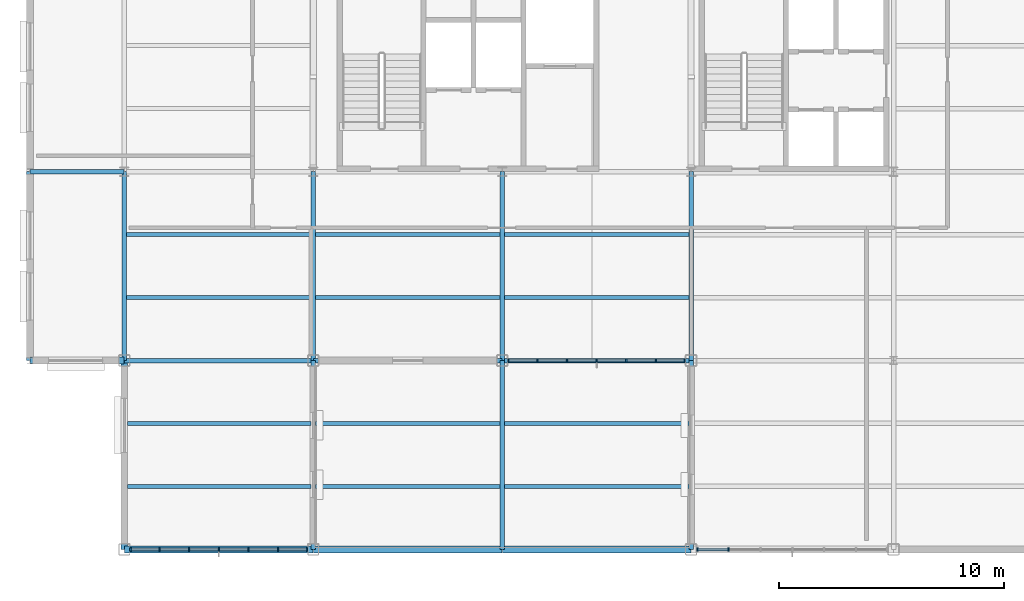
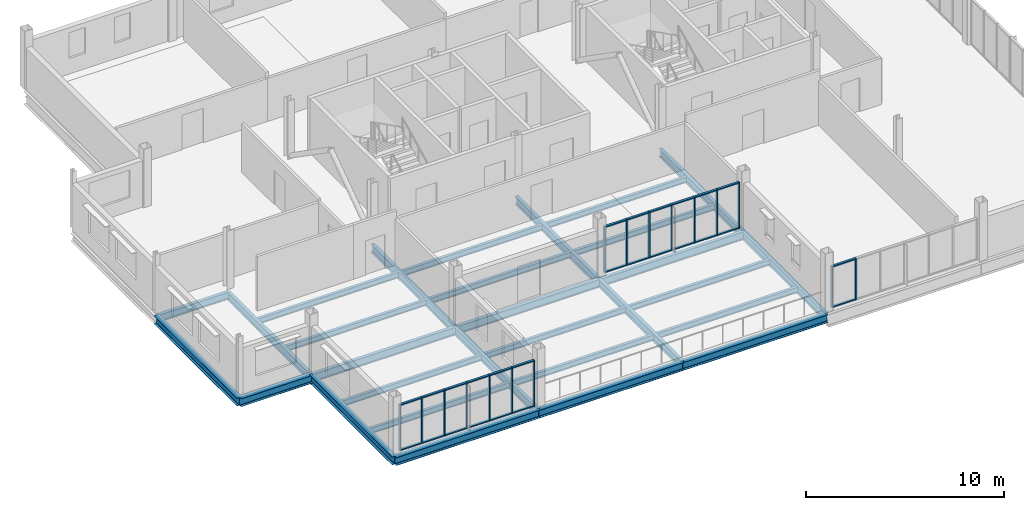
# One storey, part 5 of 20: 42 members, 29 beams, 3 elements without a shape of their own.
"""IFC4 building model written with IfcOpenShell, lengths in metres."""

import ifcopenshell
import ifcopenshell.guid

model = None  # the IFC model being written
_history = None  # IfcOwnerHistory: only IFC2X3 demands one
_inside = {}  # id of a spatial element -> (the spatial element, [elements in it])
_under = {}  # id of a project, library or spatial element -> (it, [spatial elements below it])
_declared = {}  # id of a project -> (the project, [libraries it declares])
_typed = {}  # id of a type object -> (the type object, [elements of that type])
_made_of = {}  # id of a material, layer set ... -> (it, [elements and type objects made of it])


def new_model(schema):
    """Start an empty IFC model of exactly this schema.

    Asked for "IFC4X3", IfcOpenShell would pick the latest addendum, in which some entities
    have other attributes; the version numbers below select the first issue.
    IFC2X3 requires an IfcOwnerHistory on every rooted entity: one is made here for all.
    """
    global model, _history
    if schema == "IFC4X3":
        model = ifcopenshell.file(schema_version=(4, 3, 0, 0))
    else:
        model = ifcopenshell.file(schema=schema)
    _inside.clear()
    _under.clear()
    _declared.clear()
    _typed.clear()
    _made_of.clear()
    _history = None
    if model.schema == "IFC2X3":
        org = make("IfcOrganization", Name="unknown")
        user = make(
            "IfcPersonAndOrganization",
            ThePerson=make("IfcPerson", FamilyName="unknown"),
            TheOrganization=org,
        )
        app = make(
            "IfcApplication",
            ApplicationDeveloper=org,
            Version="unknown",
            ApplicationFullName="unknown",
            ApplicationIdentifier="unknown",
        )
        _history = make(
            "IfcOwnerHistory",
            OwningUser=user,
            OwningApplication=app,
            ChangeAction="ADDED",
            CreationDate=0,
        )
    return model


def make(cls, **values):
    """One entity of the class cls with the attributes given. An attribute that is None is left unset."""
    return model.create_entity(
        cls, **{name: value for name, value in values.items() if value is not None}
    )


def rooted(cls, **values):
    """An entity with a GlobalId (a new one), such as an element, a storey or a relation."""
    return make(cls, GlobalId=ifcopenshell.guid.new(), OwnerHistory=_history, **values)


def si_unit(unit_type, name, prefix=None):
    """IfcSIUnit, for example si_unit("LENGTHUNIT", "METRE", prefix="MILLI")."""
    return make("IfcSIUnit", UnitType=unit_type, Prefix=prefix, Name=name)


def assignment(units):
    """IfcUnitAssignment: the units of a project."""
    return None if units is None else make("IfcUnitAssignment", Units=units)


def point(xyz):
    """IfcCartesianPoint."""
    return None if xyz is None else make("IfcCartesianPoint", Coordinates=xyz)


def direction(xyz):
    """IfcDirection."""
    return None if xyz is None else make("IfcDirection", DirectionRatios=xyz)


def frame(location, z_axis=None, x_axis=None):
    """IfcAxis2Placement3D, a coordinate frame: its origin and axes. An axis left out is left unset."""
    return make(
        "IfcAxis2Placement3D",
        Location=point(location),
        Axis=direction(z_axis),
        RefDirection=direction(x_axis),
    )


def frame_2d(location, x_axis=None):
    """IfcAxis2Placement2D, a coordinate frame in the plane: its origin and x axis."""
    return make(
        "IfcAxis2Placement2D", Location=point(location), RefDirection=direction(x_axis)
    )


def origin():
    """The frame at (0, 0, 0) with its axes left unset."""
    return frame((0.0, 0.0, 0.0))


def origin_2d():
    """The frame at (0, 0) in the plane with its x axis left unset."""
    return frame_2d((0.0, 0.0))


def place(relative_to, where):
    """IfcLocalPlacement: puts the frame where relative to a parent placement (None: the world)."""
    return make(
        "IfcLocalPlacement", PlacementRelTo=relative_to, RelativePlacement=where
    )


def context(
    kind, dimensions, precision=None, world=None, true_north=None, identifier=None
):
    """IfcGeometricRepresentationContext, for example the 3D "Model" context."""
    return make(
        "IfcGeometricRepresentationContext",
        ContextIdentifier=identifier,
        ContextType=kind,
        CoordinateSpaceDimension=dimensions,
        Precision=precision,
        WorldCoordinateSystem=world,
        TrueNorth=true_north,
    )


def subcontext(parent, identifier, kind, view, scale=None):
    """IfcGeometricRepresentationSubContext, for example "Body" below "Model"."""
    return make(
        "IfcGeometricRepresentationSubContext",
        ContextIdentifier=identifier,
        ContextType=kind,
        ParentContext=parent,
        TargetScale=scale,
        TargetView=view,
    )


def project(units=None, contexts=None):
    """IfcProject with its units and contexts."""
    return rooted(
        "IfcProject",
        Name="project",
        RepresentationContexts=contexts,
        UnitsInContext=assignment(units),
    )


def spatial(cls, under=None, at=None, **own):
    """A site, building, storey or space (cls), placed at a placement, below another one or the project."""
    s = rooted(cls, ObjectPlacement=at, **own)
    if under is not None:
        _under.setdefault(under.id(), (under, []))[1].append(s)
    return s


def profile(cls, at=None, kind="AREA", **sizes):
    """A parametric profile (cls). Its sizes go by their IFC names, for example OverallWidth=200.0."""
    return make(cls, ProfileType=kind, Position=at, **sizes)


def rectangle(**sizes):
    """IfcRectangleProfileDef."""
    return profile("IfcRectangleProfileDef", **sizes)


def i_section(**sizes):
    """IfcIShapeProfileDef."""
    return profile("IfcIShapeProfileDef", **sizes)


def extrude(swept, where, along, depth):
    """IfcExtrudedAreaSolid: the profile swept, set in the frame where, extruded along a direction by depth."""
    return make(
        "IfcExtrudedAreaSolid",
        SweptArea=swept,
        Position=where,
        ExtrudedDirection=direction(along),
        Depth=depth,
    )


def shape(context_of_items, identifier, shape_type, items):
    """IfcShapeRepresentation: the items that make up one representation, for example the "Body"."""
    return make(
        "IfcShapeRepresentation",
        ContextOfItems=context_of_items,
        RepresentationIdentifier=identifier,
        RepresentationType=shape_type,
        Items=items,
    )


def material(Name=None, Category=None):
    """IfcMaterial."""
    return make("IfcMaterial", Name=Name, Category=Category)


def layer(
    of_material, thickness, ventilated=None, Name=None, Category=None, Priority=None
):
    """IfcMaterialLayer: one layer of a wall or slab, of a material (None: an air gap)."""
    return make(
        "IfcMaterialLayer",
        Material=of_material,
        LayerThickness=thickness,
        IsVentilated=ventilated,
        Name=Name,
        Category=Category,
        Priority=Priority,
    )


def layer_set(layers, Name=None):
    """IfcMaterialLayerSet."""
    return make("IfcMaterialLayerSet", MaterialLayers=layers, LayerSetName=Name)


def material_profile(
    of_material, cross_section, Name=None, Category=None, Priority=None
):
    """IfcMaterialProfile: a cross section and its material."""
    return make(
        "IfcMaterialProfile",
        Name=Name,
        Material=of_material,
        Profile=cross_section,
        Priority=Priority,
        Category=Category,
    )


def profile_set(profiles, Name=None, composite=None):
    """IfcMaterialProfileSet."""
    return make(
        "IfcMaterialProfileSet",
        Name=Name,
        MaterialProfiles=profiles,
        CompositeProfile=composite,
    )


def made_of(thing, what):
    """Note that an element or type object is made of a material, layer set ...; save() writes the relation."""
    if what is not None:
        _made_of.setdefault(what.id(), (what, []))[1].append(thing)
    return thing


def type_object(cls, material=None, **own):
    """A type object (cls), such as IfcWallType, which elements share."""
    return made_of(rooted(cls, **own), material)


def element(
    cls,
    number,
    at=None,
    inside=None,
    cuts=None,
    type_object=None,
    material=None,
    context=None,
    identifier="Body",
    shape_type=None,
    held_by="IfcProductDefinitionShape",
    body=None,
    shapes=None,
    **own,
):
    """One element of the class cls, such as IfcWall. Its Tag is "e" and its number.

    at: its placement. inside: the storey or other place that contains it. cuts: it is an
    opening in that element (IfcRelVoidsElement). A single representation is given by context,
    identifier, shape_type and body (its items); several are given by shapes. held_by: the class
    of the entity that holds the representations. save() writes the other relations.
    """
    e = rooted(cls, Tag="e%d" % number, ObjectPlacement=at, **own)
    if body is not None:
        shapes = [shape(context, identifier, shape_type, body)]
    if shapes is not None:
        e.Representation = make(held_by, Representations=shapes)
    if inside is not None:
        _inside.setdefault(inside.id(), (inside, []))[1].append(e)
    if cuts is not None:
        rooted(
            "IfcRelVoidsElement", RelatingBuildingElement=cuts, RelatedOpeningElement=e
        )
    if type_object is not None:
        _typed.setdefault(type_object.id(), (type_object, []))[1].append(e)
    return made_of(e, material)


def aggregate(whole, parts):
    """IfcRelAggregates: a whole, such as a stair, and the parts it consists of."""
    return rooted("IfcRelAggregates", RelatingObject=whole, RelatedObjects=parts)


def save(model, path):
    """Write the relations noted so far, then the file.

    IfcRelAggregates (storeys below a building ...), IfcRelContainedInSpatialStructure (elements
    in a storey), IfcRelDefinesByType, IfcRelAssociatesMaterial and IfcRelDeclares: one each for
    every whole, place, type object, material and project.
    """
    for whole, parts in _under.values():
        aggregate(whole, parts)
    for where, things in _inside.values():
        rooted(
            "IfcRelContainedInSpatialStructure",
            RelatedElements=things,
            RelatingStructure=where,
        )
    for kind, things in _typed.values():
        rooted("IfcRelDefinesByType", RelatedObjects=things, RelatingType=kind)
    for what, things in _made_of.values():
        rooted("IfcRelAssociatesMaterial", RelatedObjects=things, RelatingMaterial=what)
    for by, libraries in _declared.values():
        rooted("IfcRelDeclares", RelatingContext=by, RelatedDefinitions=libraries)
    model.write(path)


model = new_model("IFC4")

# Units and contexts
model_context = context("Model", 3, precision=1e-05, world=origin(), true_north=direction((0.0, 1.0)))
body_context = subcontext(model_context, "Body", "Model", "MODEL_VIEW")
ifc_project = project(units=[si_unit("LENGTHUNIT", "METRE"), si_unit("AREAUNIT", "SQUARE_METRE"), si_unit("VOLUMEUNIT", "CUBIC_METRE"), si_unit("PLANEANGLEUNIT", "RADIAN"), si_unit("MASSUNIT", "GRAM", prefix="KILO")], contexts=[model_context])

# Site, building, storey
site_placement = place(None, origin())
site = spatial("IfcSite", under=ifc_project, at=site_placement, CompositionType="ELEMENT")
building_placement = place(site_placement, origin())
building = spatial("IfcBuilding", under=site, at=building_placement, Name="Yukiwa Park Conservatory and Herbarium", CompositionType="ELEMENT")
storey_placement = place(building_placement, frame((0.0, 0.0, 28.199951171875)))
storey = spatial("IfcBuildingStorey", under=building, at=storey_placement, Name="L07", CompositionType="ELEMENT", Elevation=28.199951171875)

# Beams
ifc_material_1 = material(Name="Steel Q355D", Category="steel")
ifc_material_profile_1 = material_profile(ifc_material_1, i_section(OverallWidth=0.199951171875, OverallDepth=0.449951171875, WebThickness=0.009033203125, FlangeThickness=0.013916015625, FilletRadius=0.01806640625, at=origin_2d()), Name="HN 450x200x9x14")
ifc_profile_set_1 = profile_set([ifc_material_profile_1], Name="Steel Q355D")
beam_type_1 = type_object("IfcBeamType", Name="BM-GRD-HN450", PredefinedType="BEAM", material=ifc_profile_set_1)
beam_1_placement = place(storey_placement, frame((120.60595703125, 94.800048828125, -0.47998046875), z_axis=(1.0, 0.0, 0.0), x_axis=(0.0, 1.0, 0.0)))
element("IfcBeam", 1, at=beam_1_placement, inside=storey, type_object=beam_type_1, Name="L07 grid beam X-12", PredefinedType="BEAM", context=body_context, shape_type="SweptSolid", body=[
    extrude(i_section(OverallWidth=0.199951171875, OverallDepth=0.449951171875, WebThickness=0.009033203125, FlangeThickness=0.013916015625, FilletRadius=0.01806640625, at=origin_2d()), origin(), (0.0, 0.0, 1.0), 4.18798828125),
])
ifc_material_2 = material(Name="Steel Q355D", Category="steel")
ifc_material_profile_2 = material_profile(ifc_material_2, i_section(OverallWidth=0.199951171875, OverallDepth=0.5, WebThickness=0.010009765625, FlangeThickness=0.01611328125, FilletRadius=0.02001953125, at=origin_2d()), Name="HN 500x200x10x16")
ifc_profile_set_2 = profile_set([ifc_material_profile_2], Name="Steel Q355D")
beam_type_2 = type_object("IfcBeamType", Name="BM-GRD-HN500", PredefinedType="BEAM", material=ifc_profile_set_2)
beam_2_placement = place(storey_placement, frame((124.805908203125, 86.39990234375, -0.5048828125), z_axis=(1.0, 0.0, 0.0), x_axis=(0.0, 1.0, 0.0)))
element("IfcBeam", 2, at=beam_2_placement, inside=storey, type_object=beam_type_2, Name="L07 grid beam X-7", PredefinedType="BEAM", context=body_context, shape_type="SweptSolid", body=[
    extrude(i_section(OverallWidth=0.199951171875, OverallDepth=0.5, WebThickness=0.010009765625, FlangeThickness=0.01611328125, FilletRadius=0.02001953125, at=origin_2d()), origin(), (0.0, 0.0, 1.0), 8.38818359375),
])
for number, where, z_axis, x_axis, name in (
    (3, (133.2060546875, 86.39990234375, -0.5048828125), (1.0, 0.0, 0.0), (0.0, 1.0, 0.0), "L07 grid beam X-8"),
    (4, (141.60595703125, 86.39990234375, -0.5048828125), (1.0, 0.0, 0.0), (0.0, 1.0, 0.0), "L07 grid beam X-9"),
    (5, (124.800048828125, 86.406005859375, -0.5048828125), (0.0, 1.0, 0.0), (-1.0, 0.0, 0.0), "L07 grid girder Y-32"),
    (6, (133.199951171875, 78.006103515625, -0.5048828125), (0.0, 1.0, 0.0), (-1.0, 0.0, 0.0), "L07 grid girder Y-35"),
    (7, (133.199951171875, 86.406005859375, -0.5048828125), (0.0, 1.0, 0.0), (-1.0, 0.0, 0.0), "L07 grid girder Y-36"),
    (8, (141.60009765625, 78.006103515625, -0.5048828125), (0.0, 1.0, 0.0), (-1.0, 0.0, 0.0), "L07 grid girder Y-39"),
    (9, (141.60009765625, 86.406005859375, -0.5048828125), (0.0, 1.0, 0.0), (-1.0, 0.0, 0.0), "L07 grid girder Y-40"),
    (10, (150.0, 78.006103515625, -0.5048828125), (0.0, 1.0, 0.0), (-1.0, 0.0, 0.0), "L07 grid girder Y-42"),
    (11, (150.0, 86.406005859375, -0.5048828125), (0.0, 1.0, 0.0), (-1.0, 0.0, 0.0), "L07 grid girder Y-43"),
):
    element("IfcBeam", number, at=place(storey_placement, frame(where, z_axis=z_axis, x_axis=x_axis)), inside=storey, type_object=beam_type_2, Name=name, PredefinedType="BEAM", context=body_context, shape_type="SweptSolid", body=[
        extrude(i_section(OverallWidth=0.199951171875, OverallDepth=0.5, WebThickness=0.010009765625, FlangeThickness=0.01611328125, FilletRadius=0.02001953125, at=origin_2d()), origin(), (0.0, 0.0, 1.0), 8.387939453125),
    ])
ifc_material_3 = material(Name="Steel Q355D", Category="steel")
ifc_material_profile_3 = material_profile(ifc_material_3, i_section(OverallWidth=0.175048828125, OverallDepth=0.35009765625, WebThickness=0.007080078125, FlangeThickness=0.010986328125, FilletRadius=0.013916015625, at=origin_2d()), Name="HN 350x175x7x11")
ifc_profile_set_3 = profile_set([ifc_material_profile_3], Name="Steel Q355D")
beam_type_3 = type_object("IfcBeamType", Name="BM-JST-HN350", PredefinedType="JOIST", material=ifc_profile_set_3)
for number, where, z_axis, x_axis, name in (
    (12, (124.946044921875, 80.800048828125, -0.429931640625), (1.0, 0.0, 0.0), (0.0, 1.0, 0.0), "L07 composite floor joist 1"),
    (13, (124.946044921875, 83.60009765625, -0.429931640625), (1.0, 0.0, 0.0), (0.0, 1.0, 0.0), "L07 composite floor joist 2"),
):
    element("IfcBeam", number, at=place(storey_placement, frame(where, z_axis=z_axis, x_axis=x_axis)), inside=storey, type_object=beam_type_3, Name=name, PredefinedType="JOIST", context=body_context, shape_type="SweptSolid", body=[
        extrude(i_section(OverallWidth=0.175048828125, OverallDepth=0.35009765625, WebThickness=0.007080078125, FlangeThickness=0.010986328125, FilletRadius=0.013916015625, at=origin_2d()), origin(), (0.0, 0.0, 1.0), 8.157958984375),
    ])
for number, where, z_axis, x_axis, name in (
    (14, (124.89599609375, 89.199951171875, -0.429931640625), (1.0, 0.0, 0.0), (0.0, 1.0, 0.0), "L07 composite floor joist 3"),
    (15, (124.89599609375, 92.0, -0.429931640625), (1.0, 0.0, 0.0), (0.0, 1.0, 0.0), "L07 composite floor joist 4"),
    (16, (133.2958984375, 80.800048828125, -0.429931640625), (1.0, 0.0, 0.0), (0.0, 1.0, 0.0), "L07 composite floor joist 9"),
    (17, (133.2958984375, 83.60009765625, -0.429931640625), (1.0, 0.0, 0.0), (0.0, 1.0, 0.0), "L07 composite floor joist 10"),
    (18, (133.2958984375, 89.199951171875, -0.429931640625), (1.0, 0.0, 0.0), (0.0, 1.0, 0.0), "L07 composite floor joist 11"),
    (19, (133.2958984375, 92.0, -0.429931640625), (1.0, 0.0, 0.0), (0.0, 1.0, 0.0), "L07 composite floor joist 12"),
    (20, (141.696044921875, 80.800048828125, -0.429931640625), (1.0, 0.0, 0.0), (0.0, 1.0, 0.0), "L07 composite floor joist 15"),
    (21, (141.696044921875, 83.60009765625, -0.429931640625), (1.0, 0.0, 0.0), (0.0, 1.0, 0.0), "L07 composite floor joist 16"),
    (22, (141.696044921875, 89.199951171875, -0.429931640625), (1.0, 0.0, 0.0), (0.0, 1.0, 0.0), "L07 composite floor joist 17"),
    (23, (141.696044921875, 92.0, -0.429931640625), (1.0, 0.0, 0.0), (0.0, 1.0, 0.0), "L07 composite floor joist 18"),
):
    element("IfcBeam", number, at=place(storey_placement, frame(where, z_axis=z_axis, x_axis=x_axis)), inside=storey, type_object=beam_type_3, Name=name, PredefinedType="JOIST", context=body_context, shape_type="SweptSolid", body=[
        extrude(i_section(OverallWidth=0.175048828125, OverallDepth=0.35009765625, WebThickness=0.007080078125, FlangeThickness=0.010986328125, FilletRadius=0.013916015625, at=origin_2d()), origin(), (0.0, 0.0, 1.0), 8.2080078125),
    ])
ifc_material_4 = material(Name="Steel Q355D", Category="steel")
ifc_material_profile_4 = material_profile(ifc_material_4, i_section(OverallWidth=0.300048828125, OverallDepth=0.493896484375, WebThickness=0.010986328125, FlangeThickness=0.014892578125, FilletRadius=0.02392578125, at=origin_2d()), Name="HM 494x300x11x15")
ifc_profile_set_4 = profile_set([ifc_material_profile_4], Name="Steel Q355D")
beam_type_4 = type_object("IfcBeamType", Name="BM-SPN-HN450", PredefinedType="SPANDREL", material=ifc_profile_set_4)
beam_3_placement = place(storey_placement, frame((120.60595703125, 86.39990234375, -0.501953125), z_axis=(1.0, 0.0, 0.0), x_axis=(0.0, 1.0, 0.0)))
element("IfcBeam", 24, at=beam_3_placement, inside=storey, type_object=beam_type_4, Name="L07 spandrel beam X-6", PredefinedType="SPANDREL", context=body_context, shape_type="SweptSolid", body=[
    extrude(i_section(OverallWidth=0.300048828125, OverallDepth=0.493896484375, WebThickness=0.010986328125, FlangeThickness=0.014892578125, FilletRadius=0.02392578125, at=origin_2d()), origin(), (0.0, 0.0, 1.0), 4.18798828125),
])
ifc_material_5 = material(Name="Steel Q355D", Category="steel")
ifc_material_profile_5 = material_profile(ifc_material_5, i_section(OverallWidth=0.300048828125, OverallDepth=0.5, WebThickness=0.010986328125, FlangeThickness=0.01806640625, FilletRadius=0.02392578125, at=origin_2d()), Name="HM 500x300x11x18")
ifc_profile_set_5 = profile_set([ifc_material_profile_5], Name="Steel Q355D")
beam_type_5 = type_object("IfcBeamType", Name="BM-SPN-HN500", PredefinedType="SPANDREL", material=ifc_profile_set_5)
beam_4_placement = place(storey_placement, frame((124.805908203125, 78.0, -0.5048828125), z_axis=(1.0, 0.0, 0.0), x_axis=(0.0, 1.0, 0.0)))
element("IfcBeam", 25, at=beam_4_placement, inside=storey, type_object=beam_type_5, Name="L07 spandrel beam X-1", PredefinedType="SPANDREL", context=body_context, shape_type="SweptSolid", body=[
    extrude(i_section(OverallWidth=0.300048828125, OverallDepth=0.5, WebThickness=0.010986328125, FlangeThickness=0.01806640625, FilletRadius=0.02392578125, at=origin_2d()), origin(), (0.0, 0.0, 1.0), 8.38818359375),
])
for number, where, z_axis, x_axis, name in (
    (26, (133.2060546875, 78.0, -0.5048828125), (1.0, 0.0, 0.0), (0.0, 1.0, 0.0), "L07 spandrel beam X-2"),
    (27, (141.60595703125, 78.0, -0.5048828125), (1.0, 0.0, 0.0), (0.0, 1.0, 0.0), "L07 spandrel beam X-3"),
    (28, (120.60009765625, 86.406005859375, -0.5048828125), (0.0, 1.0, 0.0), (-1.0, 0.0, 0.0), "L07 spandrel girder Y-29"),
    (29, (124.800048828125, 78.006103515625, -0.5048828125), (0.0, 1.0, 0.0), (-1.0, 0.0, 0.0), "L07 spandrel girder Y-31"),
):
    element("IfcBeam", number, at=place(storey_placement, frame(where, z_axis=z_axis, x_axis=x_axis)), inside=storey, type_object=beam_type_5, Name=name, PredefinedType="SPANDREL", context=body_context, shape_type="SweptSolid", body=[
        extrude(i_section(OverallWidth=0.300048828125, OverallDepth=0.5, WebThickness=0.010986328125, FlangeThickness=0.01806640625, FilletRadius=0.02392578125, at=origin_2d()), origin(), (0.0, 0.0, 1.0), 8.387939453125),
    ])

# Curtain wall, members
ifc_material_6 = material(Name="Triple Low-E Insulated Glass", Category="glass")
ifc_layer = layer(ifc_material_6, 0.248046875)
ifc_layer_set = layer_set([ifc_layer], Name="Triple Low-E Insulated Glass")
curtain_wall_type = type_object("IfcCurtainWallType", Name="CW-TOWER-LAB-S-1400", PredefinedType="NOTDEFINED", material=ifc_layer_set)
curtain_wall_1_placement = place(storey_placement, origin())
curtain_wall_1 = element("IfcCurtainWall", 30, at=curtain_wall_1_placement, inside=storey, type_object=curtain_wall_type, Name="L07 unitised curtain wall CW-L07-088", PredefinedType="NOTDEFINED")
ifc_material_7 = material(Name="Anodised Aluminium", Category="aluminium")
member_type_1 = type_object("IfcMemberType", Name="MB-CW-MUL-70X150", PredefinedType="MULLION", material=ifc_material_7)
member_1_placement = place(storey_placement, frame((125.0849609375, 78.0, 0.0), z_axis=(0.0, 0.0, 1.0), x_axis=(1.0, 0.0, 0.0)))
member_1 = element("IfcMember", 31, at=member_1_placement, type_object=member_type_1, Name="CW-L07-088 mullion 1", PredefinedType="MULLION", context=body_context, shape_type="SweptSolid", body=[
    extrude(rectangle(XDim=0.070068359375, YDim=0.14990234375, at=origin_2d()), origin(), (0.0, 0.0, 1.0), 2.85205078125),
])
member_2_placement = place(storey_placement, frame((126.36669921875, 78.0, 0.0), z_axis=(0.0, 0.0, 1.0), x_axis=(1.0, 0.0, 0.0)))
member_2 = element("IfcMember", 32, at=member_2_placement, type_object=member_type_1, Name="CW-L07-088 mullion 2", PredefinedType="MULLION", context=body_context, shape_type="SweptSolid", body=[
    extrude(rectangle(XDim=0.070068359375, YDim=0.14990234375, at=origin_2d()), origin(), (0.0, 0.0, 1.0), 2.85205078125),
])
member_3_placement = place(storey_placement, frame((127.683349609375, 78.0, 0.0), z_axis=(0.0, 0.0, 1.0), x_axis=(1.0, 0.0, 0.0)))
member_3 = element("IfcMember", 33, at=member_3_placement, type_object=member_type_1, Name="CW-L07-088 mullion 3", PredefinedType="MULLION", context=body_context, shape_type="SweptSolid", body=[
    extrude(rectangle(XDim=0.070068359375, YDim=0.14990234375, at=origin_2d()), origin(), (0.0, 0.0, 1.0), 2.85205078125),
])
member_4_placement = place(storey_placement, frame((129.0, 78.0, 0.0), z_axis=(0.0, 0.0, 1.0), x_axis=(1.0, 0.0, 0.0)))
member_4 = element("IfcMember", 34, at=member_4_placement, type_object=member_type_1, Name="CW-L07-088 mullion 4", PredefinedType="MULLION", context=body_context, shape_type="SweptSolid", body=[
    extrude(rectangle(XDim=0.070068359375, YDim=0.14990234375, at=origin_2d()), origin(), (0.0, 0.0, 1.0), 2.85205078125),
])
member_5_placement = place(storey_placement, frame((130.316650390625, 78.0, 0.0), z_axis=(0.0, 0.0, 1.0), x_axis=(1.0, 0.0, 0.0)))
member_5 = element("IfcMember", 35, at=member_5_placement, type_object=member_type_1, Name="CW-L07-088 mullion 5", PredefinedType="MULLION", context=body_context, shape_type="SweptSolid", body=[
    extrude(rectangle(XDim=0.070068359375, YDim=0.14990234375, at=origin_2d()), origin(), (0.0, 0.0, 1.0), 2.85205078125),
])
member_6_placement = place(storey_placement, frame((131.63330078125, 78.0, 0.0), z_axis=(0.0, 0.0, 1.0), x_axis=(1.0, 0.0, 0.0)))
member_6 = element("IfcMember", 36, at=member_6_placement, type_object=member_type_1, Name="CW-L07-088 mullion 6", PredefinedType="MULLION", context=body_context, shape_type="SweptSolid", body=[
    extrude(rectangle(XDim=0.070068359375, YDim=0.14990234375, at=origin_2d()), origin(), (0.0, 0.0, 1.0), 2.85205078125),
])
member_7_placement = place(storey_placement, frame((132.9150390625, 78.0, 0.0), z_axis=(0.0, 0.0, 1.0), x_axis=(1.0, 0.0, 0.0)))
member_7 = element("IfcMember", 37, at=member_7_placement, type_object=member_type_1, Name="CW-L07-088 mullion 7", PredefinedType="MULLION", context=body_context, shape_type="SweptSolid", body=[
    extrude(rectangle(XDim=0.070068359375, YDim=0.14990234375, at=origin_2d()), origin(), (0.0, 0.0, 1.0), 2.85205078125),
])

curtain_wall_2_placement = place(storey_placement, origin())
curtain_wall_2 = element("IfcCurtainWall", 38, at=curtain_wall_2_placement, inside=storey, type_object=curtain_wall_type, Name="L07 unitised curtain wall CW-L07-089", PredefinedType="NOTDEFINED")
member_8_placement = place(storey_placement, frame((141.885009765625, 86.39990234375, 0.0), z_axis=(0.0, 0.0, 1.0), x_axis=(1.0, 0.0, 0.0)))
member_8 = element("IfcMember", 39, at=member_8_placement, type_object=member_type_1, Name="CW-L07-089 mullion 1", PredefinedType="MULLION", context=body_context, shape_type="SweptSolid", body=[
    extrude(rectangle(XDim=0.070068359375, YDim=0.14990234375, at=origin_2d()), origin(), (0.0, 0.0, 1.0), 2.85205078125),
])
member_9_placement = place(storey_placement, frame((143.166748046875, 86.39990234375, 0.0), z_axis=(0.0, 0.0, 1.0), x_axis=(1.0, 0.0, 0.0)))
member_9 = element("IfcMember", 40, at=member_9_placement, type_object=member_type_1, Name="CW-L07-089 mullion 2", PredefinedType="MULLION", context=body_context, shape_type="SweptSolid", body=[
    extrude(rectangle(XDim=0.070068359375, YDim=0.14990234375, at=origin_2d()), origin(), (0.0, 0.0, 1.0), 2.85205078125),
])
member_10_placement = place(storey_placement, frame((144.4833984375, 86.39990234375, 0.0), z_axis=(0.0, 0.0, 1.0), x_axis=(1.0, 0.0, 0.0)))
member_10 = element("IfcMember", 41, at=member_10_placement, type_object=member_type_1, Name="CW-L07-089 mullion 3", PredefinedType="MULLION", context=body_context, shape_type="SweptSolid", body=[
    extrude(rectangle(XDim=0.070068359375, YDim=0.14990234375, at=origin_2d()), origin(), (0.0, 0.0, 1.0), 2.85205078125),
])
member_11_placement = place(storey_placement, frame((145.800048828125, 86.39990234375, 0.0), z_axis=(0.0, 0.0, 1.0), x_axis=(1.0, 0.0, 0.0)))
member_11 = element("IfcMember", 42, at=member_11_placement, type_object=member_type_1, Name="CW-L07-089 mullion 4", PredefinedType="MULLION", context=body_context, shape_type="SweptSolid", body=[
    extrude(rectangle(XDim=0.070068359375, YDim=0.14990234375, at=origin_2d()), origin(), (0.0, 0.0, 1.0), 2.85205078125),
])
member_12_placement = place(storey_placement, frame((147.11669921875, 86.39990234375, 0.0), z_axis=(0.0, 0.0, 1.0), x_axis=(1.0, 0.0, 0.0)))
member_12 = element("IfcMember", 43, at=member_12_placement, type_object=member_type_1, Name="CW-L07-089 mullion 5", PredefinedType="MULLION", context=body_context, shape_type="SweptSolid", body=[
    extrude(rectangle(XDim=0.070068359375, YDim=0.14990234375, at=origin_2d()), origin(), (0.0, 0.0, 1.0), 2.85205078125),
])
member_13_placement = place(storey_placement, frame((148.433349609375, 86.39990234375, 0.0), z_axis=(0.0, 0.0, 1.0), x_axis=(1.0, 0.0, 0.0)))
member_13 = element("IfcMember", 44, at=member_13_placement, type_object=member_type_1, Name="CW-L07-089 mullion 6", PredefinedType="MULLION", context=body_context, shape_type="SweptSolid", body=[
    extrude(rectangle(XDim=0.070068359375, YDim=0.14990234375, at=origin_2d()), origin(), (0.0, 0.0, 1.0), 2.85205078125),
])
member_14_placement = place(storey_placement, frame((149.715087890625, 86.39990234375, 0.0), z_axis=(0.0, 0.0, 1.0), x_axis=(1.0, 0.0, 0.0)))
member_14 = element("IfcMember", 45, at=member_14_placement, type_object=member_type_1, Name="CW-L07-089 mullion 7", PredefinedType="MULLION", context=body_context, shape_type="SweptSolid", body=[
    extrude(rectangle(XDim=0.070068359375, YDim=0.14990234375, at=origin_2d()), origin(), (0.0, 0.0, 1.0), 2.85205078125),
])

curtain_wall_3_placement = place(storey_placement, origin())
curtain_wall_3 = element("IfcCurtainWall", 46, at=curtain_wall_3_placement, inside=storey, type_object=curtain_wall_type, Name="L07 unitised curtain wall CW-L07-090", PredefinedType="NOTDEFINED")
member_15_placement = place(storey_placement, frame((150.284912109375, 78.0, 0.0), z_axis=(0.0, 0.0, 1.0), x_axis=(1.0, 0.0, 0.0)))
member_15 = element("IfcMember", 47, at=member_15_placement, type_object=member_type_1, Name="CW-L07-090 mullion 1", PredefinedType="MULLION", context=body_context, shape_type="SweptSolid", body=[
    extrude(rectangle(XDim=0.070068359375, YDim=0.14990234375, at=origin_2d()), origin(), (0.0, 0.0, 1.0), 2.56005859375),
])
member_16_placement = place(storey_placement, frame((151.666748046875, 78.0, 0.0), z_axis=(0.0, 0.0, 1.0), x_axis=(1.0, 0.0, 0.0)))
member_16 = element("IfcMember", 48, at=member_16_placement, type_object=member_type_1, Name="CW-L07-090 mullion 2", PredefinedType="MULLION", context=body_context, shape_type="SweptSolid", body=[
    extrude(rectangle(XDim=0.070068359375, YDim=0.14990234375, at=origin_2d()), origin(), (0.0, 0.0, 1.0), 2.56005859375),
])

# Member
ifc_material_8 = material(Name="Anodised Aluminium", Category="aluminium")
member_type_2 = type_object("IfcMemberType", Name="MB-CW-TRN-70X130", PredefinedType="USERDEFINED", material=ifc_material_8)
member_17_placement = place(storey_placement, frame((125.708251953125, 78.0, 0.0), z_axis=(0.0, 0.0, 1.0), x_axis=(1.0, 0.0, 0.0)))
member_17 = element("IfcMember", 49, at=member_17_placement, type_object=member_type_2, Name="CW-L07-088 transom 1.1", ObjectType="TRANSOM", PredefinedType="USERDEFINED", context=body_context, shape_type="SweptSolid", body=[
    extrude(rectangle(XDim=1.24658203125, YDim=0.1298828125, at=origin_2d()), origin(), (0.0, 0.0, 1.0), 0.070068359375),
])

member_18_placement = place(storey_placement, frame((125.708251953125, 78.0, 2.7822265625), z_axis=(0.0, 0.0, 1.0), x_axis=(1.0, 0.0, 0.0)))
member_18 = element("IfcMember", 50, at=member_18_placement, type_object=member_type_2, Name="CW-L07-088 transom 1.2", ObjectType="TRANSOM", PredefinedType="USERDEFINED", context=body_context, shape_type="SweptSolid", body=[
    extrude(rectangle(XDim=1.24658203125, YDim=0.1298828125, at=origin_2d()), origin(), (0.0, 0.0, 1.0), 0.070068359375),
])

member_19_placement = place(storey_placement, frame((127.02490234375, 78.0, 0.0), z_axis=(0.0, 0.0, 1.0), x_axis=(1.0, 0.0, 0.0)))
member_19 = element("IfcMember", 51, at=member_19_placement, type_object=member_type_2, Name="CW-L07-088 transom 2.1", ObjectType="TRANSOM", PredefinedType="USERDEFINED", context=body_context, shape_type="SweptSolid", body=[
    extrude(rectangle(XDim=1.24658203125, YDim=0.1298828125, at=origin_2d()), origin(), (0.0, 0.0, 1.0), 0.070068359375),
])

member_20_placement = place(storey_placement, frame((127.02490234375, 78.0, 2.7822265625), z_axis=(0.0, 0.0, 1.0), x_axis=(1.0, 0.0, 0.0)))
member_20 = element("IfcMember", 52, at=member_20_placement, type_object=member_type_2, Name="CW-L07-088 transom 2.2", ObjectType="TRANSOM", PredefinedType="USERDEFINED", context=body_context, shape_type="SweptSolid", body=[
    extrude(rectangle(XDim=1.24658203125, YDim=0.1298828125, at=origin_2d()), origin(), (0.0, 0.0, 1.0), 0.070068359375),
])

member_21_placement = place(storey_placement, frame((128.341796875, 78.0, 0.0), z_axis=(0.0, 0.0, 1.0), x_axis=(1.0, 0.0, 0.0)))
member_21 = element("IfcMember", 53, at=member_21_placement, type_object=member_type_2, Name="CW-L07-088 transom 3.1", ObjectType="TRANSOM", PredefinedType="USERDEFINED", context=body_context, shape_type="SweptSolid", body=[
    extrude(rectangle(XDim=1.24658203125, YDim=0.1298828125, at=origin_2d()), origin(), (0.0, 0.0, 1.0), 0.070068359375),
])

member_22_placement = place(storey_placement, frame((128.341796875, 78.0, 2.7822265625), z_axis=(0.0, 0.0, 1.0), x_axis=(1.0, 0.0, 0.0)))
member_22 = element("IfcMember", 54, at=member_22_placement, type_object=member_type_2, Name="CW-L07-088 transom 3.2", ObjectType="TRANSOM", PredefinedType="USERDEFINED", context=body_context, shape_type="SweptSolid", body=[
    extrude(rectangle(XDim=1.24658203125, YDim=0.1298828125, at=origin_2d()), origin(), (0.0, 0.0, 1.0), 0.070068359375),
])

member_23_placement = place(storey_placement, frame((129.658203125, 78.0, 0.0), z_axis=(0.0, 0.0, 1.0), x_axis=(1.0, 0.0, 0.0)))
member_23 = element("IfcMember", 55, at=member_23_placement, type_object=member_type_2, Name="CW-L07-088 transom 4.1", ObjectType="TRANSOM", PredefinedType="USERDEFINED", context=body_context, shape_type="SweptSolid", body=[
    extrude(rectangle(XDim=1.24658203125, YDim=0.1298828125, at=origin_2d()), origin(), (0.0, 0.0, 1.0), 0.070068359375),
])

member_24_placement = place(storey_placement, frame((129.658203125, 78.0, 2.7822265625), z_axis=(0.0, 0.0, 1.0), x_axis=(1.0, 0.0, 0.0)))
member_24 = element("IfcMember", 56, at=member_24_placement, type_object=member_type_2, Name="CW-L07-088 transom 4.2", ObjectType="TRANSOM", PredefinedType="USERDEFINED", context=body_context, shape_type="SweptSolid", body=[
    extrude(rectangle(XDim=1.24658203125, YDim=0.1298828125, at=origin_2d()), origin(), (0.0, 0.0, 1.0), 0.070068359375),
])

member_25_placement = place(storey_placement, frame((130.97509765625, 78.0, 0.0), z_axis=(0.0, 0.0, 1.0), x_axis=(1.0, 0.0, 0.0)))
member_25 = element("IfcMember", 57, at=member_25_placement, type_object=member_type_2, Name="CW-L07-088 transom 5.1", ObjectType="TRANSOM", PredefinedType="USERDEFINED", context=body_context, shape_type="SweptSolid", body=[
    extrude(rectangle(XDim=1.24658203125, YDim=0.1298828125, at=origin_2d()), origin(), (0.0, 0.0, 1.0), 0.070068359375),
])

member_26_placement = place(storey_placement, frame((130.97509765625, 78.0, 2.7822265625), z_axis=(0.0, 0.0, 1.0), x_axis=(1.0, 0.0, 0.0)))
member_26 = element("IfcMember", 58, at=member_26_placement, type_object=member_type_2, Name="CW-L07-088 transom 5.2", ObjectType="TRANSOM", PredefinedType="USERDEFINED", context=body_context, shape_type="SweptSolid", body=[
    extrude(rectangle(XDim=1.24658203125, YDim=0.1298828125, at=origin_2d()), origin(), (0.0, 0.0, 1.0), 0.070068359375),
])

member_27_placement = place(storey_placement, frame((132.291748046875, 78.0, 0.0), z_axis=(0.0, 0.0, 1.0), x_axis=(1.0, 0.0, 0.0)))
member_27 = element("IfcMember", 59, at=member_27_placement, type_object=member_type_2, Name="CW-L07-088 transom 6.1", ObjectType="TRANSOM", PredefinedType="USERDEFINED", context=body_context, shape_type="SweptSolid", body=[
    extrude(rectangle(XDim=1.24658203125, YDim=0.1298828125, at=origin_2d()), origin(), (0.0, 0.0, 1.0), 0.070068359375),
])

member_28_placement = place(storey_placement, frame((132.291748046875, 78.0, 2.7822265625), z_axis=(0.0, 0.0, 1.0), x_axis=(1.0, 0.0, 0.0)))
member_28 = element("IfcMember", 60, at=member_28_placement, type_object=member_type_2, Name="CW-L07-088 transom 6.2", ObjectType="TRANSOM", PredefinedType="USERDEFINED", context=body_context, shape_type="SweptSolid", body=[
    extrude(rectangle(XDim=1.24658203125, YDim=0.1298828125, at=origin_2d()), origin(), (0.0, 0.0, 1.0), 0.070068359375),
])

aggregate(curtain_wall_1, [member_1, member_2, member_3, member_4, member_5, member_6, member_7, member_17, member_18, member_19, member_20, member_21, member_22, member_23, member_24, member_25, member_26, member_27, member_28])

member_29_placement = place(storey_placement, frame((142.50830078125, 86.39990234375, 0.0), z_axis=(0.0, 0.0, 1.0), x_axis=(1.0, 0.0, 0.0)))
member_29 = element("IfcMember", 61, at=member_29_placement, type_object=member_type_2, Name="CW-L07-089 transom 1.1", ObjectType="TRANSOM", PredefinedType="USERDEFINED", context=body_context, shape_type="SweptSolid", body=[
    extrude(rectangle(XDim=1.24658203125, YDim=0.1298828125, at=origin_2d()), origin(), (0.0, 0.0, 1.0), 0.070068359375),
])

member_30_placement = place(storey_placement, frame((142.50830078125, 86.39990234375, 2.7822265625), z_axis=(0.0, 0.0, 1.0), x_axis=(1.0, 0.0, 0.0)))
member_30 = element("IfcMember", 62, at=member_30_placement, type_object=member_type_2, Name="CW-L07-089 transom 1.2", ObjectType="TRANSOM", PredefinedType="USERDEFINED", context=body_context, shape_type="SweptSolid", body=[
    extrude(rectangle(XDim=1.24658203125, YDim=0.1298828125, at=origin_2d()), origin(), (0.0, 0.0, 1.0), 0.070068359375),
])

member_31_placement = place(storey_placement, frame((143.824951171875, 86.39990234375, 0.0), z_axis=(0.0, 0.0, 1.0), x_axis=(1.0, 0.0, 0.0)))
member_31 = element("IfcMember", 63, at=member_31_placement, type_object=member_type_2, Name="CW-L07-089 transom 2.1", ObjectType="TRANSOM", PredefinedType="USERDEFINED", context=body_context, shape_type="SweptSolid", body=[
    extrude(rectangle(XDim=1.24658203125, YDim=0.1298828125, at=origin_2d()), origin(), (0.0, 0.0, 1.0), 0.070068359375),
])

member_32_placement = place(storey_placement, frame((143.824951171875, 86.39990234375, 2.7822265625), z_axis=(0.0, 0.0, 1.0), x_axis=(1.0, 0.0, 0.0)))
member_32 = element("IfcMember", 64, at=member_32_placement, type_object=member_type_2, Name="CW-L07-089 transom 2.2", ObjectType="TRANSOM", PredefinedType="USERDEFINED", context=body_context, shape_type="SweptSolid", body=[
    extrude(rectangle(XDim=1.24658203125, YDim=0.1298828125, at=origin_2d()), origin(), (0.0, 0.0, 1.0), 0.070068359375),
])

member_33_placement = place(storey_placement, frame((145.1416015625, 86.39990234375, 0.0), z_axis=(0.0, 0.0, 1.0), x_axis=(1.0, 0.0, 0.0)))
member_33 = element("IfcMember", 65, at=member_33_placement, type_object=member_type_2, Name="CW-L07-089 transom 3.1", ObjectType="TRANSOM", PredefinedType="USERDEFINED", context=body_context, shape_type="SweptSolid", body=[
    extrude(rectangle(XDim=1.24658203125, YDim=0.1298828125, at=origin_2d()), origin(), (0.0, 0.0, 1.0), 0.070068359375),
])

member_34_placement = place(storey_placement, frame((145.1416015625, 86.39990234375, 2.7822265625), z_axis=(0.0, 0.0, 1.0), x_axis=(1.0, 0.0, 0.0)))
member_34 = element("IfcMember", 66, at=member_34_placement, type_object=member_type_2, Name="CW-L07-089 transom 3.2", ObjectType="TRANSOM", PredefinedType="USERDEFINED", context=body_context, shape_type="SweptSolid", body=[
    extrude(rectangle(XDim=1.24658203125, YDim=0.1298828125, at=origin_2d()), origin(), (0.0, 0.0, 1.0), 0.070068359375),
])

member_35_placement = place(storey_placement, frame((146.458251953125, 86.39990234375, 0.0), z_axis=(0.0, 0.0, 1.0), x_axis=(1.0, 0.0, 0.0)))
member_35 = element("IfcMember", 67, at=member_35_placement, type_object=member_type_2, Name="CW-L07-089 transom 4.1", ObjectType="TRANSOM", PredefinedType="USERDEFINED", context=body_context, shape_type="SweptSolid", body=[
    extrude(rectangle(XDim=1.24658203125, YDim=0.1298828125, at=origin_2d()), origin(), (0.0, 0.0, 1.0), 0.070068359375),
])

member_36_placement = place(storey_placement, frame((146.458251953125, 86.39990234375, 2.7822265625), z_axis=(0.0, 0.0, 1.0), x_axis=(1.0, 0.0, 0.0)))
member_36 = element("IfcMember", 68, at=member_36_placement, type_object=member_type_2, Name="CW-L07-089 transom 4.2", ObjectType="TRANSOM", PredefinedType="USERDEFINED", context=body_context, shape_type="SweptSolid", body=[
    extrude(rectangle(XDim=1.24658203125, YDim=0.1298828125, at=origin_2d()), origin(), (0.0, 0.0, 1.0), 0.070068359375),
])

member_37_placement = place(storey_placement, frame((147.77490234375, 86.39990234375, 0.0), z_axis=(0.0, 0.0, 1.0), x_axis=(1.0, 0.0, 0.0)))
member_37 = element("IfcMember", 69, at=member_37_placement, type_object=member_type_2, Name="CW-L07-089 transom 5.1", ObjectType="TRANSOM", PredefinedType="USERDEFINED", context=body_context, shape_type="SweptSolid", body=[
    extrude(rectangle(XDim=1.24658203125, YDim=0.1298828125, at=origin_2d()), origin(), (0.0, 0.0, 1.0), 0.070068359375),
])

member_38_placement = place(storey_placement, frame((147.77490234375, 86.39990234375, 2.7822265625), z_axis=(0.0, 0.0, 1.0), x_axis=(1.0, 0.0, 0.0)))
member_38 = element("IfcMember", 70, at=member_38_placement, type_object=member_type_2, Name="CW-L07-089 transom 5.2", ObjectType="TRANSOM", PredefinedType="USERDEFINED", context=body_context, shape_type="SweptSolid", body=[
    extrude(rectangle(XDim=1.24658203125, YDim=0.1298828125, at=origin_2d()), origin(), (0.0, 0.0, 1.0), 0.070068359375),
])

member_39_placement = place(storey_placement, frame((149.091796875, 86.39990234375, 0.0), z_axis=(0.0, 0.0, 1.0), x_axis=(1.0, 0.0, 0.0)))
member_39 = element("IfcMember", 71, at=member_39_placement, type_object=member_type_2, Name="CW-L07-089 transom 6.1", ObjectType="TRANSOM", PredefinedType="USERDEFINED", context=body_context, shape_type="SweptSolid", body=[
    extrude(rectangle(XDim=1.24658203125, YDim=0.1298828125, at=origin_2d()), origin(), (0.0, 0.0, 1.0), 0.070068359375),
])

member_40_placement = place(storey_placement, frame((149.091796875, 86.39990234375, 2.7822265625), z_axis=(0.0, 0.0, 1.0), x_axis=(1.0, 0.0, 0.0)))
member_40 = element("IfcMember", 72, at=member_40_placement, type_object=member_type_2, Name="CW-L07-089 transom 6.2", ObjectType="TRANSOM", PredefinedType="USERDEFINED", context=body_context, shape_type="SweptSolid", body=[
    extrude(rectangle(XDim=1.24658203125, YDim=0.1298828125, at=origin_2d()), origin(), (0.0, 0.0, 1.0), 0.070068359375),
])

aggregate(curtain_wall_2, [member_8, member_9, member_10, member_11, member_12, member_13, member_14, member_29, member_30, member_31, member_32, member_33, member_34, member_35, member_36, member_37, member_38, member_39, member_40])

member_41_placement = place(storey_placement, frame((150.958251953125, 78.0, 0.0), z_axis=(0.0, 0.0, 1.0), x_axis=(1.0, 0.0, 0.0)))
member_41 = element("IfcMember", 73, at=member_41_placement, type_object=member_type_2, Name="CW-L07-090 transom 1.1", ObjectType="TRANSOM", PredefinedType="USERDEFINED", context=body_context, shape_type="SweptSolid", body=[
    extrude(rectangle(XDim=1.3466796875, YDim=0.1298828125, at=origin_2d()), origin(), (0.0, 0.0, 1.0), 0.070068359375),
])

member_42_placement = place(storey_placement, frame((150.958251953125, 78.0, 2.490234375), z_axis=(0.0, 0.0, 1.0), x_axis=(1.0, 0.0, 0.0)))
member_42 = element("IfcMember", 74, at=member_42_placement, type_object=member_type_2, Name="CW-L07-090 transom 1.2", ObjectType="TRANSOM", PredefinedType="USERDEFINED", context=body_context, shape_type="SweptSolid", body=[
    extrude(rectangle(XDim=1.3466796875, YDim=0.1298828125, at=origin_2d()), origin(), (0.0, 0.0, 1.0), 0.070068359375),
])

aggregate(curtain_wall_3, [member_15, member_16, member_41, member_42])

save(model, "model.ifc")
